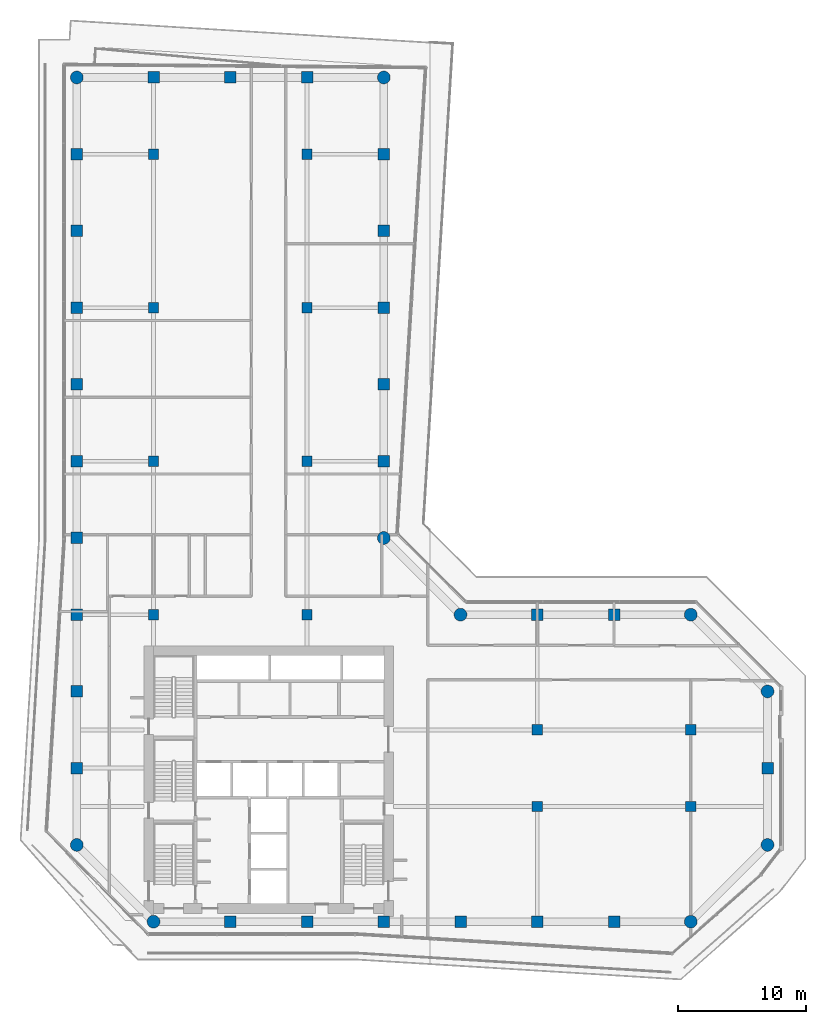
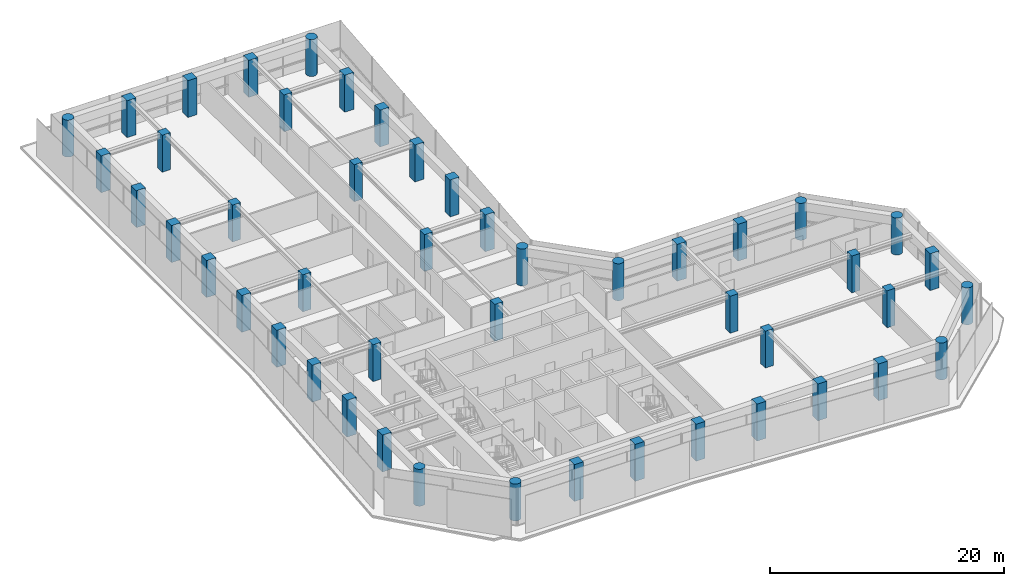
# One storey, part 1 of 24: 48 columns.
"""IFC4 building model written with IfcOpenShell, lengths in metres."""

import ifcopenshell
import ifcopenshell.guid

model = None  # the IFC model being written
_history = None  # IfcOwnerHistory: only IFC2X3 demands one
_inside = {}  # id of a spatial element -> (the spatial element, [elements in it])
_under = {}  # id of a project, library or spatial element -> (it, [spatial elements below it])
_declared = {}  # id of a project -> (the project, [libraries it declares])
_typed = {}  # id of a type object -> (the type object, [elements of that type])
_made_of = {}  # id of a material, layer set ... -> (it, [elements and type objects made of it])


def new_model(schema):
    """Start an empty IFC model of exactly this schema.

    Asked for "IFC4X3", IfcOpenShell would pick the latest addendum, in which some entities
    have other attributes; the version numbers below select the first issue.
    IFC2X3 requires an IfcOwnerHistory on every rooted entity: one is made here for all.
    """
    global model, _history
    if schema == "IFC4X3":
        model = ifcopenshell.file(schema_version=(4, 3, 0, 0))
    else:
        model = ifcopenshell.file(schema=schema)
    _inside.clear()
    _under.clear()
    _declared.clear()
    _typed.clear()
    _made_of.clear()
    _history = None
    if model.schema == "IFC2X3":
        org = make("IfcOrganization", Name="unknown")
        user = make(
            "IfcPersonAndOrganization",
            ThePerson=make("IfcPerson", FamilyName="unknown"),
            TheOrganization=org,
        )
        app = make(
            "IfcApplication",
            ApplicationDeveloper=org,
            Version="unknown",
            ApplicationFullName="unknown",
            ApplicationIdentifier="unknown",
        )
        _history = make(
            "IfcOwnerHistory",
            OwningUser=user,
            OwningApplication=app,
            ChangeAction="ADDED",
            CreationDate=0,
        )
    return model


def make(cls, **values):
    """One entity of the class cls with the attributes given. An attribute that is None is left unset."""
    return model.create_entity(
        cls, **{name: value for name, value in values.items() if value is not None}
    )


def rooted(cls, **values):
    """An entity with a GlobalId (a new one), such as an element, a storey or a relation."""
    return make(cls, GlobalId=ifcopenshell.guid.new(), OwnerHistory=_history, **values)


def si_unit(unit_type, name, prefix=None):
    """IfcSIUnit, for example si_unit("LENGTHUNIT", "METRE", prefix="MILLI")."""
    return make("IfcSIUnit", UnitType=unit_type, Prefix=prefix, Name=name)


def assignment(units):
    """IfcUnitAssignment: the units of a project."""
    return None if units is None else make("IfcUnitAssignment", Units=units)


def point(xyz):
    """IfcCartesianPoint."""
    return None if xyz is None else make("IfcCartesianPoint", Coordinates=xyz)


def direction(xyz):
    """IfcDirection."""
    return None if xyz is None else make("IfcDirection", DirectionRatios=xyz)


def frame(location, z_axis=None, x_axis=None):
    """IfcAxis2Placement3D, a coordinate frame: its origin and axes. An axis left out is left unset."""
    return make(
        "IfcAxis2Placement3D",
        Location=point(location),
        Axis=direction(z_axis),
        RefDirection=direction(x_axis),
    )


def frame_2d(location, x_axis=None):
    """IfcAxis2Placement2D, a coordinate frame in the plane: its origin and x axis."""
    return make(
        "IfcAxis2Placement2D", Location=point(location), RefDirection=direction(x_axis)
    )


def origin():
    """The frame at (0, 0, 0) with its axes left unset."""
    return frame((0.0, 0.0, 0.0))


def origin_2d():
    """The frame at (0, 0) in the plane with its x axis left unset."""
    return frame_2d((0.0, 0.0))


def place(relative_to, where):
    """IfcLocalPlacement: puts the frame where relative to a parent placement (None: the world)."""
    return make(
        "IfcLocalPlacement", PlacementRelTo=relative_to, RelativePlacement=where
    )


def context(
    kind, dimensions, precision=None, world=None, true_north=None, identifier=None
):
    """IfcGeometricRepresentationContext, for example the 3D "Model" context."""
    return make(
        "IfcGeometricRepresentationContext",
        ContextIdentifier=identifier,
        ContextType=kind,
        CoordinateSpaceDimension=dimensions,
        Precision=precision,
        WorldCoordinateSystem=world,
        TrueNorth=true_north,
    )


def subcontext(parent, identifier, kind, view, scale=None):
    """IfcGeometricRepresentationSubContext, for example "Body" below "Model"."""
    return make(
        "IfcGeometricRepresentationSubContext",
        ContextIdentifier=identifier,
        ContextType=kind,
        ParentContext=parent,
        TargetScale=scale,
        TargetView=view,
    )


def project(units=None, contexts=None):
    """IfcProject with its units and contexts."""
    return rooted(
        "IfcProject",
        Name="project",
        RepresentationContexts=contexts,
        UnitsInContext=assignment(units),
    )


def spatial(cls, under=None, at=None, **own):
    """A site, building, storey or space (cls), placed at a placement, below another one or the project."""
    s = rooted(cls, ObjectPlacement=at, **own)
    if under is not None:
        _under.setdefault(under.id(), (under, []))[1].append(s)
    return s


def profile(cls, at=None, kind="AREA", **sizes):
    """A parametric profile (cls). Its sizes go by their IFC names, for example OverallWidth=200.0."""
    return make(cls, ProfileType=kind, Position=at, **sizes)


def rectangle(**sizes):
    """IfcRectangleProfileDef."""
    return profile("IfcRectangleProfileDef", **sizes)


def circle(**sizes):
    """IfcCircleProfileDef."""
    return profile("IfcCircleProfileDef", **sizes)


def extrude(swept, where, along, depth):
    """IfcExtrudedAreaSolid: the profile swept, set in the frame where, extruded along a direction by depth."""
    return make(
        "IfcExtrudedAreaSolid",
        SweptArea=swept,
        Position=where,
        ExtrudedDirection=direction(along),
        Depth=depth,
    )


def shape(context_of_items, identifier, shape_type, items):
    """IfcShapeRepresentation: the items that make up one representation, for example the "Body"."""
    return make(
        "IfcShapeRepresentation",
        ContextOfItems=context_of_items,
        RepresentationIdentifier=identifier,
        RepresentationType=shape_type,
        Items=items,
    )


def material(Name=None, Category=None):
    """IfcMaterial."""
    return make("IfcMaterial", Name=Name, Category=Category)


def material_profile(
    of_material, cross_section, Name=None, Category=None, Priority=None
):
    """IfcMaterialProfile: a cross section and its material."""
    return make(
        "IfcMaterialProfile",
        Name=Name,
        Material=of_material,
        Profile=cross_section,
        Priority=Priority,
        Category=Category,
    )


def profile_set(profiles, Name=None, composite=None):
    """IfcMaterialProfileSet."""
    return make(
        "IfcMaterialProfileSet",
        Name=Name,
        MaterialProfiles=profiles,
        CompositeProfile=composite,
    )


def made_of(thing, what):
    """Note that an element or type object is made of a material, layer set ...; save() writes the relation."""
    if what is not None:
        _made_of.setdefault(what.id(), (what, []))[1].append(thing)
    return thing


def type_object(cls, material=None, **own):
    """A type object (cls), such as IfcWallType, which elements share."""
    return made_of(rooted(cls, **own), material)


def element(
    cls,
    number,
    at=None,
    inside=None,
    cuts=None,
    type_object=None,
    material=None,
    context=None,
    identifier="Body",
    shape_type=None,
    held_by="IfcProductDefinitionShape",
    body=None,
    shapes=None,
    **own,
):
    """One element of the class cls, such as IfcWall. Its Tag is "e" and its number.

    at: its placement. inside: the storey or other place that contains it. cuts: it is an
    opening in that element (IfcRelVoidsElement). A single representation is given by context,
    identifier, shape_type and body (its items); several are given by shapes. held_by: the class
    of the entity that holds the representations. save() writes the other relations.
    """
    e = rooted(cls, Tag="e%d" % number, ObjectPlacement=at, **own)
    if body is not None:
        shapes = [shape(context, identifier, shape_type, body)]
    if shapes is not None:
        e.Representation = make(held_by, Representations=shapes)
    if inside is not None:
        _inside.setdefault(inside.id(), (inside, []))[1].append(e)
    if cuts is not None:
        rooted(
            "IfcRelVoidsElement", RelatingBuildingElement=cuts, RelatedOpeningElement=e
        )
    if type_object is not None:
        _typed.setdefault(type_object.id(), (type_object, []))[1].append(e)
    return made_of(e, material)


def aggregate(whole, parts):
    """IfcRelAggregates: a whole, such as a stair, and the parts it consists of."""
    return rooted("IfcRelAggregates", RelatingObject=whole, RelatedObjects=parts)


def save(model, path):
    """Write the relations noted so far, then the file.

    IfcRelAggregates (storeys below a building ...), IfcRelContainedInSpatialStructure (elements
    in a storey), IfcRelDefinesByType, IfcRelAssociatesMaterial and IfcRelDeclares: one each for
    every whole, place, type object, material and project.
    """
    for whole, parts in _under.values():
        aggregate(whole, parts)
    for where, things in _inside.values():
        rooted(
            "IfcRelContainedInSpatialStructure",
            RelatedElements=things,
            RelatingStructure=where,
        )
    for kind, things in _typed.values():
        rooted("IfcRelDefinesByType", RelatedObjects=things, RelatingType=kind)
    for what, things in _made_of.values():
        rooted("IfcRelAssociatesMaterial", RelatedObjects=things, RelatingMaterial=what)
    for by, libraries in _declared.values():
        rooted("IfcRelDeclares", RelatingContext=by, RelatedDefinitions=libraries)
    model.write(path)


model = new_model("IFC4")

# Units and contexts
model_context = context("Model", 3, precision=1e-05, world=origin(), true_north=direction((0.0, 1.0)))
body_context = subcontext(model_context, "Body", "Model", "MODEL_VIEW")
ifc_project = project(units=[si_unit("LENGTHUNIT", "METRE"), si_unit("AREAUNIT", "SQUARE_METRE"), si_unit("VOLUMEUNIT", "CUBIC_METRE"), si_unit("PLANEANGLEUNIT", "RADIAN"), si_unit("MASSUNIT", "GRAM", prefix="KILO")], contexts=[model_context])

# Site, building, storey
site_placement = place(None, origin())
site = spatial("IfcSite", under=ifc_project, at=site_placement, CompositionType="ELEMENT")
building_placement = place(site_placement, origin())
building = spatial("IfcBuilding", under=site, at=building_placement, Name="Welwitschia Terrace Campus", CompositionType="ELEMENT")
storey_placement = place(building_placement, frame((0.0, 0.0, 125.60009765625)))
storey = spatial("IfcBuildingStorey", under=building, at=storey_placement, Name="L28", CompositionType="ELEMENT", Elevation=125.60009765625)

# Columns
ifc_material_1 = material(Name="Concrete C60/75", Category="concrete")
ifc_material_profile_1 = material_profile(ifc_material_1, circle(Radius=0.5, at=origin_2d()))
ifc_profile_set_1 = profile_set([ifc_material_profile_1], Name="Concrete C60/75")
column_type_1 = type_object("IfcColumnType", Name="Corner column 1000 dia", PredefinedType="COLUMN", material=ifc_profile_set_1)
for number, where, z_axis, x_axis, name in (
    (1, (0.0, 10.0, 0.0), (0.0, 0.0, 1.0), (1.0, 0.0, 0.0), "Column C15"),
    (2, (0.0, 70.0, 0.0), (0.0, 0.0, 1.0), (1.0, 0.0, 0.0), "Column C15"),
    (3, (6.0, 4.0, 0.0), (0.0, 0.0, 1.0), (1.0, 0.0, 0.0), "Column C15"),
    (4, (24.0, 34.0, 0.0), (0.0, 0.0, 1.0), (1.0, 0.0, 0.0), "Column C15"),
    (5, (24.0, 70.0, 0.0), (0.0, 0.0, 1.0), (1.0, 0.0, 0.0), "Column C15"),
    (6, (30.0, 28.0, 0.0), (0.0, 0.0, 1.0), (1.0, 0.0, 0.0), "Column C15"),
    (7, (48.0, 4.0, 0.0), (0.0, 0.0, 1.0), (1.0, 0.0, 0.0), "Column C15"),
    (8, (48.0, 28.0, 0.0), (0.0, 0.0, 1.0), (1.0, 0.0, 0.0), "Column C15"),
    (9, (54.0, 10.0, 0.0), (0.0, 0.0, 1.0), (1.0, 0.0, 0.0), "Column C15"),
    (10, (54.0, 22.0, 0.0), (0.0, 0.0, 1.0), (1.0, 0.0, 0.0), "Column C15"),
):
    element("IfcColumn", number, at=place(storey_placement, frame(where, z_axis=z_axis, x_axis=x_axis)), inside=storey, type_object=column_type_1, Name=name, PredefinedType="COLUMN", context=body_context, shape_type="SweptSolid", body=[
        extrude(circle(Radius=0.5, at=origin_2d()), origin(), (0.0, 0.0, 1.0), 3.849853515625),
    ])
ifc_material_2 = material(Name="Concrete C60/75", Category="concrete")
ifc_material_profile_2 = material_profile(ifc_material_2, rectangle(XDim=0.800048828125, YDim=0.800048828125, at=origin_2d()))
ifc_profile_set_2 = profile_set([ifc_material_profile_2], Name="Concrete C60/75")
column_type_2 = type_object("IfcColumnType", Name="Interior column 800x800", PredefinedType="COLUMN", material=ifc_profile_set_2)
for number, where, z_axis, x_axis, name in (
    (11, (6.0, 28.0, 0.0), (0.0, 0.0, 1.0), (1.0, 0.0, 0.0), "Column C16"),
    (12, (6.0, 40.0, 0.0), (0.0, 0.0, 1.0), (1.0, 0.0, 0.0), "Column C16"),
    (13, (6.0, 52.0, 0.0), (0.0, 0.0, 1.0), (1.0, 0.0, 0.0), "Column C16"),
    (14, (6.0, 64.0, 0.0), (0.0, 0.0, 1.0), (1.0, 0.0, 0.0), "Column C16"),
    (15, (18.0, 28.0, 0.0), (0.0, 0.0, 1.0), (1.0, 0.0, 0.0), "Column C16"),
    (16, (18.0, 40.0, 0.0), (0.0, 0.0, 1.0), (1.0, 0.0, 0.0), "Column C16"),
    (17, (18.0, 52.0, 0.0), (0.0, 0.0, 1.0), (1.0, 0.0, 0.0), "Column C16"),
    (18, (18.0, 64.0, 0.0), (0.0, 0.0, 1.0), (1.0, 0.0, 0.0), "Column C16"),
    (19, (36.0, 13.0, 0.0), (0.0, 0.0, 1.0), (1.0, 0.0, 0.0), "Column C16"),
    (20, (36.0, 19.0, 0.0), (0.0, 0.0, 1.0), (1.0, 0.0, 0.0), "Column C16"),
    (21, (48.0, 13.0, 0.0), (0.0, 0.0, 1.0), (1.0, 0.0, 0.0), "Column C16"),
    (22, (48.0, 19.0, 0.0), (0.0, 0.0, 1.0), (1.0, 0.0, 0.0), "Column C16"),
):
    element("IfcColumn", number, at=place(storey_placement, frame(where, z_axis=z_axis, x_axis=x_axis)), inside=storey, type_object=column_type_2, Name=name, PredefinedType="COLUMN", context=body_context, shape_type="SweptSolid", body=[
        extrude(rectangle(XDim=0.800048828125, YDim=0.800048828125, at=origin_2d()), origin(), (0.0, 0.0, 1.0), 3.849853515625),
    ])
ifc_material_3 = material(Name="Concrete C60/75", Category="concrete")
ifc_material_profile_3 = material_profile(ifc_material_3, rectangle(XDim=0.89990234375, YDim=0.89990234375, at=origin_2d()))
ifc_profile_set_3 = profile_set([ifc_material_profile_3], Name="Concrete C60/75")
column_type_3 = type_object("IfcColumnType", Name="Ring column 900x900", PredefinedType="COLUMN", material=ifc_profile_set_3)
for number, where, z_axis, x_axis, name in (
    (23, (0.0, 16.0, 0.0), (0.0, 0.0, 1.0), (1.0, 0.0, 0.0), "Column C14"),
    (24, (0.0, 22.0, 0.0), (0.0, 0.0, 1.0), (1.0, 0.0, 0.0), "Column C14"),
    (25, (0.0, 28.0, 0.0), (0.0, 0.0, 1.0), (1.0, 0.0, 0.0), "Column C14"),
    (26, (0.0, 34.0, 0.0), (0.0, 0.0, 1.0), (1.0, 0.0, 0.0), "Column C14"),
    (27, (0.0, 40.0, 0.0), (0.0, 0.0, 1.0), (1.0, 0.0, 0.0), "Column C14"),
    (28, (0.0, 46.0, 0.0), (0.0, 0.0, 1.0), (1.0, 0.0, 0.0), "Column C14"),
    (29, (0.0, 52.0, 0.0), (0.0, 0.0, 1.0), (1.0, 0.0, 0.0), "Column C14"),
    (30, (0.0, 58.0, 0.0), (0.0, 0.0, 1.0), (1.0, 0.0, 0.0), "Column C14"),
    (31, (0.0, 64.0, 0.0), (0.0, 0.0, 1.0), (1.0, 0.0, 0.0), "Column C14"),
    (32, (6.0, 70.0, 0.0), (0.0, 0.0, 1.0), (1.0, 0.0, 0.0), "Column C14"),
    (33, (12.0, 4.0, 0.0), (0.0, 0.0, 1.0), (1.0, 0.0, 0.0), "Column C14"),
    (34, (12.0, 70.0, 0.0), (0.0, 0.0, 1.0), (1.0, 0.0, 0.0), "Column C14"),
    (35, (18.0, 4.0, 0.0), (0.0, 0.0, 1.0), (1.0, 0.0, 0.0), "Column C14"),
    (36, (18.0, 70.0, 0.0), (0.0, 0.0, 1.0), (1.0, 0.0, 0.0), "Column C14"),
    (37, (24.0, 4.0, 0.0), (0.0, 0.0, 1.0), (1.0, 0.0, 0.0), "Column C14"),
    (38, (24.0, 40.0, 0.0), (0.0, 0.0, 1.0), (1.0, 0.0, 0.0), "Column C14"),
    (39, (24.0, 46.0, 0.0), (0.0, 0.0, 1.0), (1.0, 0.0, 0.0), "Column C14"),
    (40, (24.0, 52.0, 0.0), (0.0, 0.0, 1.0), (1.0, 0.0, 0.0), "Column C14"),
    (41, (24.0, 58.0, 0.0), (0.0, 0.0, 1.0), (1.0, 0.0, 0.0), "Column C14"),
    (42, (24.0, 64.0, 0.0), (0.0, 0.0, 1.0), (1.0, 0.0, 0.0), "Column C14"),
    (43, (30.0, 4.0, 0.0), (0.0, 0.0, 1.0), (1.0, 0.0, 0.0), "Column C14"),
    (44, (36.0, 4.0, 0.0), (0.0, 0.0, 1.0), (1.0, 0.0, 0.0), "Column C14"),
    (45, (36.0, 28.0, 0.0), (0.0, 0.0, 1.0), (1.0, 0.0, 0.0), "Column C14"),
    (46, (42.0, 4.0, 0.0), (0.0, 0.0, 1.0), (1.0, 0.0, 0.0), "Column C14"),
    (47, (42.0, 28.0, 0.0), (0.0, 0.0, 1.0), (1.0, 0.0, 0.0), "Column C14"),
    (48, (54.0, 16.0, 0.0), (0.0, 0.0, 1.0), (1.0, 0.0, 0.0), "Column C14"),
):
    element("IfcColumn", number, at=place(storey_placement, frame(where, z_axis=z_axis, x_axis=x_axis)), inside=storey, type_object=column_type_3, Name=name, PredefinedType="COLUMN", context=body_context, shape_type="SweptSolid", body=[
        extrude(rectangle(XDim=0.89990234375, YDim=0.89990234375, at=origin_2d()), origin(), (0.0, 0.0, 1.0), 3.849853515625),
    ])

save(model, "model.ifc")
